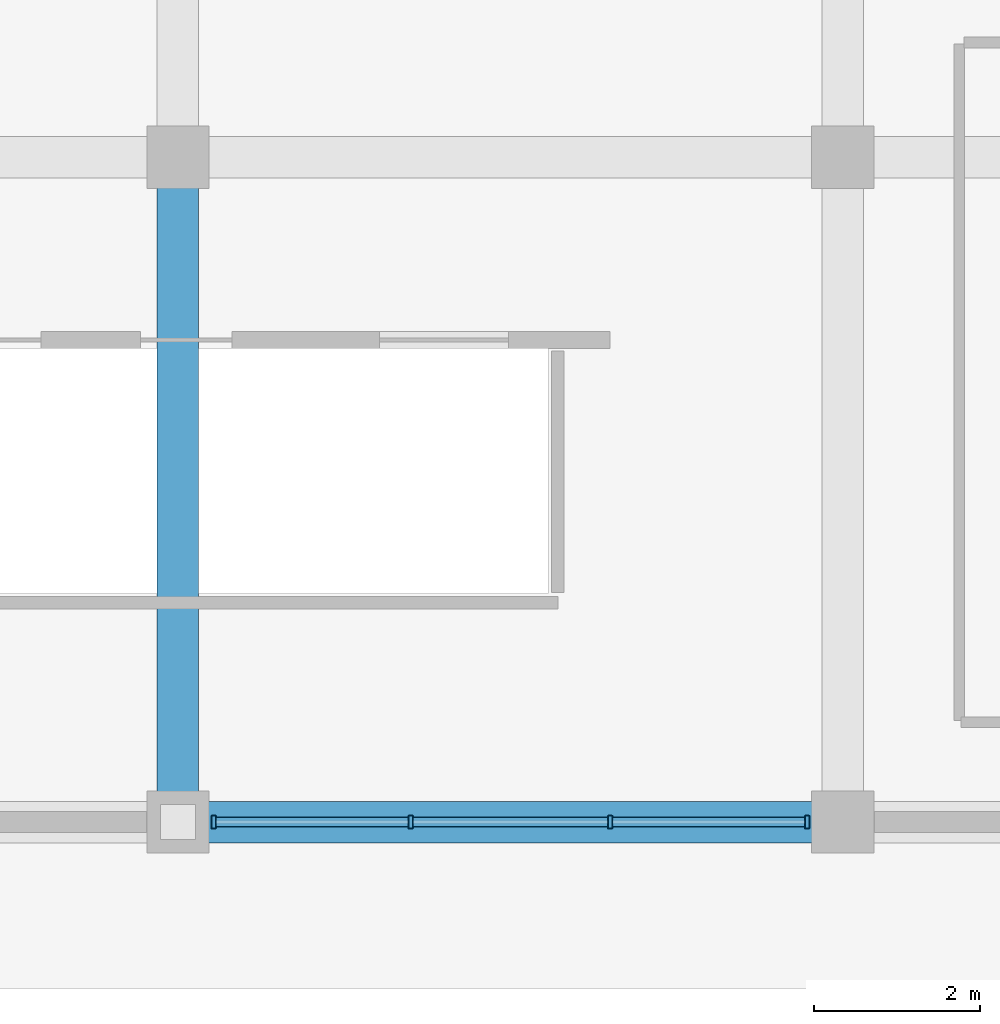
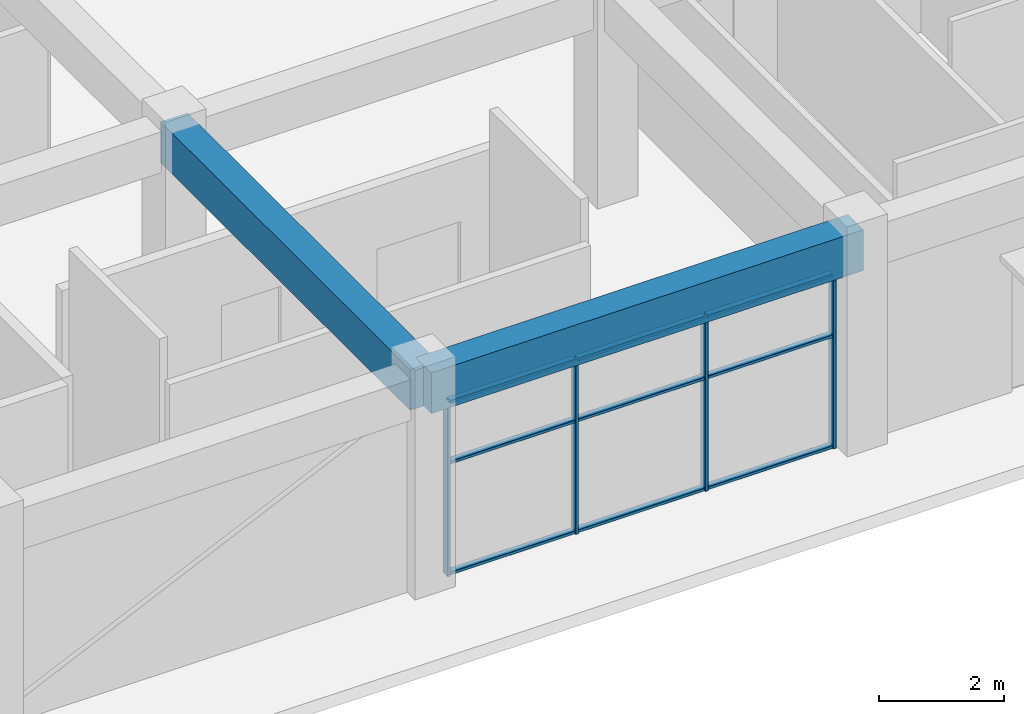
# One storey, part 6 of 40: 13 members, 2 beams, 1 element without a shape of its own.
"""IFC4 building model written with IfcOpenShell, lengths in metres."""

from ifc_helpers import new_model, si_unit, direction, frame, origin, origin_2d, place, context, subcontext, project, spatial, rectangle, hollow_rectangle, extrude, material, layer, layer_set, material_profile, profile_set, type_object, element, aggregate, save


model = new_model("IFC4")

# Units and contexts
model_context = context("Model", 3, precision=1e-05, world=origin(), true_north=direction((0.0, 1.0)))
body_context = subcontext(model_context, "Body", "Model", "MODEL_VIEW")
ifc_project = project(units=[si_unit("LENGTHUNIT", "METRE"), si_unit("AREAUNIT", "SQUARE_METRE"), si_unit("VOLUMEUNIT", "CUBIC_METRE"), si_unit("PLANEANGLEUNIT", "RADIAN"), si_unit("MASSUNIT", "GRAM", prefix="KILO")], contexts=[model_context])

# Site, building, storey
site_placement = place(None, origin())
site = spatial("IfcSite", under=ifc_project, at=site_placement, CompositionType="ELEMENT")
building_placement = place(site_placement, origin())
building = spatial("IfcBuilding", under=site, at=building_placement, Name="Kelanora Arch Commons", CompositionType="ELEMENT")
storey_placement = place(building_placement, origin())
storey = spatial("IfcBuildingStorey", under=building, at=storey_placement, Name="L00", CompositionType="ELEMENT", Elevation=0.0)

# Beams
ifc_material_1 = material(Name="Concrete C40/50", Category="concrete")
ifc_material_profile_1 = material_profile(ifc_material_1, rectangle(XDim=0.5, YDim=0.800048828125, at=origin_2d()), Name="RCB500x800")
ifc_profile_set_1 = profile_set([ifc_material_profile_1], Name="Concrete C40/50")
beam_type = type_object("IfcBeamType", Name="BM-MKT-RC1", PredefinedType="BEAM", material=ifc_profile_set_1)
for number, where, z_axis, x_axis, name in (
    (1, (20.0, 4.0, 3.840087890625), (1.0, 0.0, 0.0), (0.0, 1.0, 0.0), "Market/Basement Frame Beam 038 L00"),
    (2, (20.0, 4.0, 3.840087890625), (0.0, 1.0, 0.0), (-1.0, 0.0, 0.0), "Market/Basement Frame Beam 039 L00"),
):
    element("IfcBeam", number, at=place(storey_placement, frame(where, z_axis=z_axis, x_axis=x_axis)), inside=storey, type_object=beam_type, Name=name, PredefinedType="BEAM", context=body_context, shape_type="SweptSolid", body=[
        extrude(rectangle(XDim=0.5, YDim=0.800048828125, at=origin_2d()), origin(), (0.0, 0.0, 1.0), 8.0),
    ])

# Curtain wall, members
ifc_material_2 = material(Name="Terracotta ceramic-fritted low-E glass and aluminium", Category="masonry")
ifc_layer = layer(ifc_material_2, 0.16796875)
ifc_layer_set = layer_set([ifc_layer], Name="Terracotta ceramic-fritted low-E glass and aluminium")
curtain_wall_type = type_object("IfcCurtainWallType", Name="CW-SYS-07", PredefinedType="NOTDEFINED", material=ifc_layer_set)
curtain_wall_placement = place(storey_placement, origin())
curtain_wall = element("IfcCurtainWall", 3, at=curtain_wall_placement, inside=storey, type_object=curtain_wall_type, Name="Market Hall Arcade Curtain Wall L00-02", PredefinedType="NOTDEFINED")
ifc_material_3 = material(Name="Powder-coated aluminium terracotta", Category="masonry")
ifc_material_profile_2 = material_profile(ifc_material_3, hollow_rectangle(XDim=0.159912109375, YDim=0.06005859375, WallThickness=0.0048828125, InnerFilletRadius=0.0048828125, OuterFilletRadius=0.010009765625, at=origin_2d()), Name="CWM160x60")
ifc_profile_set_2 = profile_set([ifc_material_profile_2], Name="Powder-coated aluminium terracotta")
member_type_1 = type_object("IfcMemberType", Name="CWM-STD", PredefinedType="MULLION", material=ifc_profile_set_2)
member_1_placement = place(storey_placement, frame((20.429931640625, 4.0, 0.0), z_axis=(0.0, 0.0, 1.0), x_axis=(0.0, 1.0, 0.0)))
member_1 = element("IfcMember", 4, at=member_1_placement, type_object=member_type_1, Name="CW-07 mullion 1", PredefinedType="MULLION", context=body_context, shape_type="SweptSolid", body=[
    extrude(hollow_rectangle(XDim=0.159912109375, YDim=0.06005859375, WallThickness=0.0048828125, InnerFilletRadius=0.0048828125, OuterFilletRadius=0.010009765625, at=origin_2d()), origin(), (0.0, 0.0, 1.0), 3.419921875),
])
member_2_placement = place(storey_placement, frame((22.800048828125, 4.0, 0.0), z_axis=(0.0, 0.0, 1.0), x_axis=(0.0, 1.0, 0.0)))
member_2 = element("IfcMember", 5, at=member_2_placement, type_object=member_type_1, Name="CW-07 mullion 2", PredefinedType="MULLION", context=body_context, shape_type="SweptSolid", body=[
    extrude(hollow_rectangle(XDim=0.159912109375, YDim=0.06005859375, WallThickness=0.0048828125, InnerFilletRadius=0.0048828125, OuterFilletRadius=0.010009765625, at=origin_2d()), origin(), (0.0, 0.0, 1.0), 3.419921875),
])
member_3_placement = place(storey_placement, frame((25.199951171875, 4.0, 0.0), z_axis=(0.0, 0.0, 1.0), x_axis=(0.0, 1.0, 0.0)))
member_3 = element("IfcMember", 6, at=member_3_placement, type_object=member_type_1, Name="CW-07 mullion 3", PredefinedType="MULLION", context=body_context, shape_type="SweptSolid", body=[
    extrude(hollow_rectangle(XDim=0.159912109375, YDim=0.06005859375, WallThickness=0.0048828125, InnerFilletRadius=0.0048828125, OuterFilletRadius=0.010009765625, at=origin_2d()), origin(), (0.0, 0.0, 1.0), 3.419921875),
])
member_4_placement = place(storey_placement, frame((27.570068359375, 4.0, 0.0), z_axis=(0.0, 0.0, 1.0), x_axis=(0.0, 1.0, 0.0)))
member_4 = element("IfcMember", 7, at=member_4_placement, type_object=member_type_1, Name="CW-07 mullion 4", PredefinedType="MULLION", context=body_context, shape_type="SweptSolid", body=[
    extrude(hollow_rectangle(XDim=0.159912109375, YDim=0.06005859375, WallThickness=0.0048828125, InnerFilletRadius=0.0048828125, OuterFilletRadius=0.010009765625, at=origin_2d()), origin(), (0.0, 0.0, 1.0), 3.419921875),
])
ifc_material_profile_3 = material_profile(ifc_material_3, hollow_rectangle(XDim=0.1201171875, YDim=0.06005859375, WallThickness=0.0048828125, InnerFilletRadius=0.0048828125, OuterFilletRadius=0.010009765625, at=origin_2d()), Name="CWT120x60")
ifc_profile_set_3 = profile_set([ifc_material_profile_3], Name="Powder-coated aluminium terracotta")
member_type_2 = type_object("IfcMemberType", Name="CWT-STD", PredefinedType="USERDEFINED", material=ifc_profile_set_3)
member_5_placement = place(storey_placement, frame((20.4599609375, 4.0, 0.030029296875), z_axis=(1.0, 0.0, 0.0), x_axis=(0.0, 1.0, 0.0)))
member_5 = element("IfcMember", 8, at=member_5_placement, type_object=member_type_2, Name="CW-07 transom 1.1", ObjectType="TRANSOM", PredefinedType="USERDEFINED", context=body_context, shape_type="SweptSolid", body=[
    extrude(hollow_rectangle(XDim=0.1201171875, YDim=0.06005859375, WallThickness=0.0048828125, InnerFilletRadius=0.0048828125, OuterFilletRadius=0.010009765625, at=origin_2d()), origin(), (0.0, 0.0, 1.0), 2.31005859375),
])
member_6_placement = place(storey_placement, frame((20.4599609375, 4.0, 2.199951171875), z_axis=(1.0, 0.0, 0.0), x_axis=(0.0, 1.0, 0.0)))
member_6 = element("IfcMember", 9, at=member_6_placement, type_object=member_type_2, Name="CW-07 transom 1.2", ObjectType="TRANSOM", PredefinedType="USERDEFINED", context=body_context, shape_type="SweptSolid", body=[
    extrude(hollow_rectangle(XDim=0.1201171875, YDim=0.06005859375, WallThickness=0.0048828125, InnerFilletRadius=0.0048828125, OuterFilletRadius=0.010009765625, at=origin_2d()), origin(), (0.0, 0.0, 1.0), 2.31005859375),
])
member_7_placement = place(storey_placement, frame((20.4599609375, 4.0, 3.389892578125), z_axis=(1.0, 0.0, 0.0), x_axis=(0.0, 1.0, 0.0)))
member_7 = element("IfcMember", 10, at=member_7_placement, type_object=member_type_2, Name="CW-07 transom 1.3", ObjectType="TRANSOM", PredefinedType="USERDEFINED", context=body_context, shape_type="SweptSolid", body=[
    extrude(hollow_rectangle(XDim=0.1201171875, YDim=0.06005859375, WallThickness=0.0048828125, InnerFilletRadius=0.0048828125, OuterFilletRadius=0.010009765625, at=origin_2d()), origin(), (0.0, 0.0, 1.0), 2.31005859375),
])
member_8_placement = place(storey_placement, frame((22.830078125, 4.0, 0.030029296875), z_axis=(1.0, 0.0, 0.0), x_axis=(0.0, 1.0, 0.0)))
member_8 = element("IfcMember", 11, at=member_8_placement, type_object=member_type_2, Name="CW-07 transom 2.1", ObjectType="TRANSOM", PredefinedType="USERDEFINED", context=body_context, shape_type="SweptSolid", body=[
    extrude(hollow_rectangle(XDim=0.1201171875, YDim=0.06005859375, WallThickness=0.0048828125, InnerFilletRadius=0.0048828125, OuterFilletRadius=0.010009765625, at=origin_2d()), origin(), (0.0, 0.0, 1.0), 2.33984375),
])
member_9_placement = place(storey_placement, frame((22.830078125, 4.0, 2.199951171875), z_axis=(1.0, 0.0, 0.0), x_axis=(0.0, 1.0, 0.0)))
member_9 = element("IfcMember", 12, at=member_9_placement, type_object=member_type_2, Name="CW-07 transom 2.2", ObjectType="TRANSOM", PredefinedType="USERDEFINED", context=body_context, shape_type="SweptSolid", body=[
    extrude(hollow_rectangle(XDim=0.1201171875, YDim=0.06005859375, WallThickness=0.0048828125, InnerFilletRadius=0.0048828125, OuterFilletRadius=0.010009765625, at=origin_2d()), origin(), (0.0, 0.0, 1.0), 2.33984375),
])
member_10_placement = place(storey_placement, frame((22.830078125, 4.0, 3.389892578125), z_axis=(1.0, 0.0, 0.0), x_axis=(0.0, 1.0, 0.0)))
member_10 = element("IfcMember", 13, at=member_10_placement, type_object=member_type_2, Name="CW-07 transom 2.3", ObjectType="TRANSOM", PredefinedType="USERDEFINED", context=body_context, shape_type="SweptSolid", body=[
    extrude(hollow_rectangle(XDim=0.1201171875, YDim=0.06005859375, WallThickness=0.0048828125, InnerFilletRadius=0.0048828125, OuterFilletRadius=0.010009765625, at=origin_2d()), origin(), (0.0, 0.0, 1.0), 2.33984375),
])
member_11_placement = place(storey_placement, frame((25.22998046875, 4.0, 0.030029296875), z_axis=(1.0, 0.0, 0.0), x_axis=(0.0, 1.0, 0.0)))
member_11 = element("IfcMember", 14, at=member_11_placement, type_object=member_type_2, Name="CW-07 transom 3.1", ObjectType="TRANSOM", PredefinedType="USERDEFINED", context=body_context, shape_type="SweptSolid", body=[
    extrude(hollow_rectangle(XDim=0.1201171875, YDim=0.06005859375, WallThickness=0.0048828125, InnerFilletRadius=0.0048828125, OuterFilletRadius=0.010009765625, at=origin_2d()), origin(), (0.0, 0.0, 1.0), 2.31005859375),
])
member_12_placement = place(storey_placement, frame((25.22998046875, 4.0, 2.199951171875), z_axis=(1.0, 0.0, 0.0), x_axis=(0.0, 1.0, 0.0)))
member_12 = element("IfcMember", 15, at=member_12_placement, type_object=member_type_2, Name="CW-07 transom 3.2", ObjectType="TRANSOM", PredefinedType="USERDEFINED", context=body_context, shape_type="SweptSolid", body=[
    extrude(hollow_rectangle(XDim=0.1201171875, YDim=0.06005859375, WallThickness=0.0048828125, InnerFilletRadius=0.0048828125, OuterFilletRadius=0.010009765625, at=origin_2d()), origin(), (0.0, 0.0, 1.0), 2.31005859375),
])
member_13_placement = place(storey_placement, frame((25.22998046875, 4.0, 3.389892578125), z_axis=(1.0, 0.0, 0.0), x_axis=(0.0, 1.0, 0.0)))
member_13 = element("IfcMember", 16, at=member_13_placement, type_object=member_type_2, Name="CW-07 transom 3.3", ObjectType="TRANSOM", PredefinedType="USERDEFINED", context=body_context, shape_type="SweptSolid", body=[
    extrude(hollow_rectangle(XDim=0.1201171875, YDim=0.06005859375, WallThickness=0.0048828125, InnerFilletRadius=0.0048828125, OuterFilletRadius=0.010009765625, at=origin_2d()), origin(), (0.0, 0.0, 1.0), 2.31005859375),
])
aggregate(curtain_wall, [member_1, member_2, member_3, member_4, member_5, member_6, member_7, member_8, member_9, member_10, member_11, member_12, member_13])

save(model, "model.ifc")
